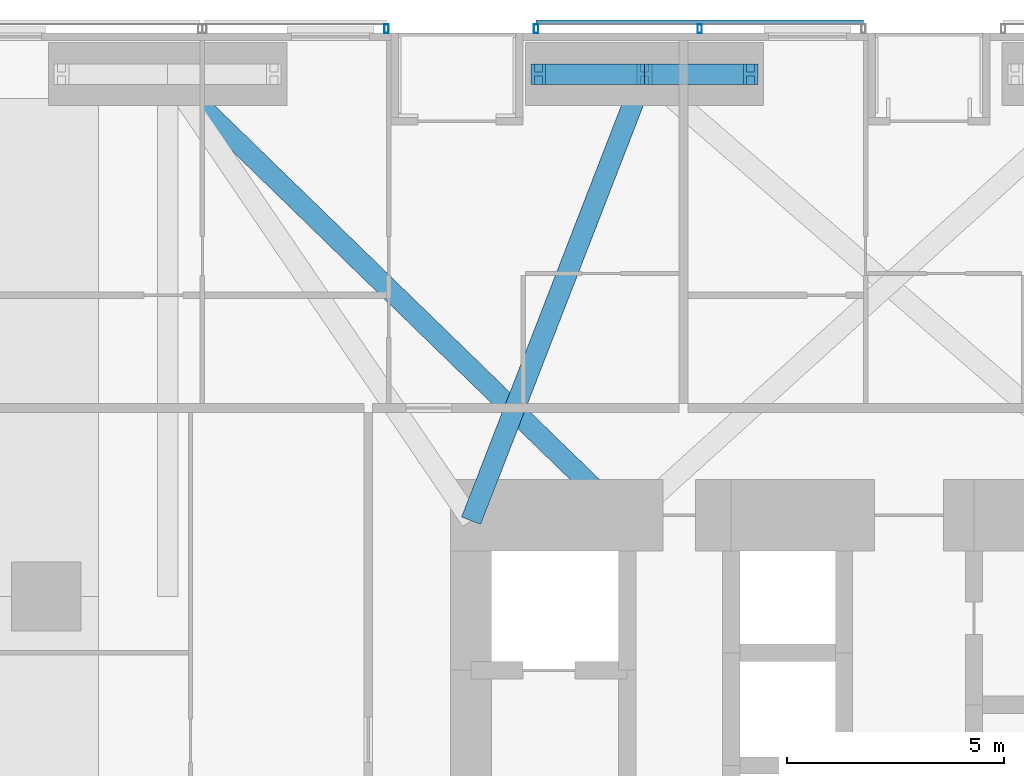
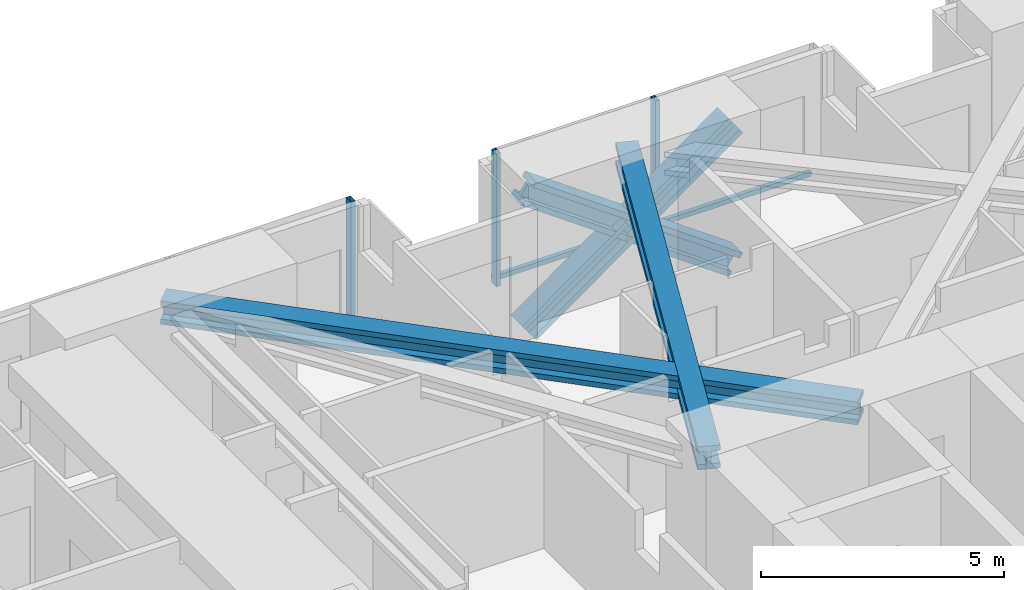
# One storey, part 11 of 22: 10 members, 2 elements without a shape of their own.
"""IFC4 building model written with IfcOpenShell, lengths in metres."""

from ifc_helpers import new_model, si_unit, direction, frame, origin, origin_2d, place, context, subcontext, project, spatial, rectangle, hollow_rectangle, i_section, extrude, material, material_profile, profile_set, type_object, element, aggregate, save


model = new_model("IFC4")

# Units and contexts
model_context = context("Model", 3, precision=1e-05, world=origin(), true_north=direction((0.0, 1.0)))
body_context = subcontext(model_context, "Body", "Model", "MODEL_VIEW")
ifc_project = project(units=[si_unit("LENGTHUNIT", "METRE"), si_unit("AREAUNIT", "SQUARE_METRE"), si_unit("VOLUMEUNIT", "CUBIC_METRE"), si_unit("PLANEANGLEUNIT", "RADIAN"), si_unit("MASSUNIT", "GRAM", prefix="KILO")], contexts=[model_context])

# Site, building, storey
site_placement = place(None, origin())
site = spatial("IfcSite", under=ifc_project, at=site_placement, CompositionType="ELEMENT")
building_placement = place(site_placement, origin())
building = spatial("IfcBuilding", under=site, at=building_placement, Name="Jalousie Tower", CompositionType="ELEMENT")
storey_placement = place(building_placement, frame((0.0, 0.0, 71.25)))
storey = spatial("IfcBuildingStorey", under=building, at=storey_placement, Name="L19", CompositionType="ELEMENT", Elevation=71.25)

# Members
ifc_material_1 = material(Name="Steel ASTM A992 Grade 50", Category="steel")
ifc_material_profile_1 = material_profile(ifc_material_1, i_section(OverallWidth=0.472412109375, OverallDepth=0.5791015625, WebThickness=0.094970703125, FlangeThickness=0.1298828125, at=origin_2d()), Name="W14X808")
ifc_profile_set_1 = profile_set([ifc_material_profile_1], Name="Steel ASTM A992 Grade 50")
member_type_1 = type_object("IfcMemberType", Name="KINK FLOOR TRUSS DIAGONAL W14X808", PredefinedType="BRACE", material=ifc_profile_set_1)
member_1_placement = place(storey_placement, frame((24.0, 37.050048828125, 2.930419921875), z_axis=(-0.362007989467, -0.932174991921, 0.0), x_axis=(0.932174991921, -0.362007989467, 0.0)))
element("IfcMember", 1, at=member_1_placement, inside=storey, type_object=member_type_1, Name="Kink floor truss L20 10 diagonal", PredefinedType="BRACE", context=body_context, shape_type="SweptSolid", body=[
    extrude(i_section(OverallWidth=0.472412109375, OverallDepth=0.5791015625, WebThickness=0.094970703125, FlangeThickness=0.1298828125, at=origin_2d()), origin(), (0.0, 0.0, 1.0), 11.049560546875),
])
member_2_placement = place(storey_placement, frame((13.0, 37.050048828125, 2.930419921875), z_axis=(0.717184316871, -0.696883530896, 0.0), x_axis=(0.696883530896, 0.717184316871, 0.0)))
element("IfcMember", 2, at=member_2_placement, inside=storey, type_object=member_type_1, Name="Kink floor truss L20 11 diagonal", PredefinedType="BRACE", context=body_context, shape_type="SweptSolid", body=[
    extrude(i_section(OverallWidth=0.472412109375, OverallDepth=0.5791015625, WebThickness=0.094970703125, FlangeThickness=0.1298828125, at=origin_2d()), origin(), (0.0, 0.0, 1.0), 14.7802734375),
])
ifc_material_2 = material(Name="Steel ASTM A992 Grade 50", Category="steel")
ifc_material_profile_2 = material_profile(ifc_material_2, i_section(OverallWidth=0.472412109375, OverallDepth=0.5791015625, WebThickness=0.094970703125, FlangeThickness=0.1298828125, at=origin_2d()), Name="W14X808")
ifc_profile_set_2 = profile_set([ifc_material_profile_2], Name="Steel ASTM A992 Grade 50")
member_type_2 = type_object("IfcMemberType", Name="PERIMETER BRACE W14X808", PredefinedType="BRACE", material=ifc_profile_set_2)
for number, where, z_axis, x_axis, name in (
    (3, (21.550048828125, 37.050048828125, -0.60009765625), (0.813727992185, 0.0, 0.581245864273), (0.0, 1.0, 0.0), "Perimeter brace 10 L19 part 1"),
    (4, (24.0, 37.050048828125, 1.14990234375), (0.813727992185, 0.0, 0.581245864273), (0.0, 1.0, 0.0), "Perimeter brace 10 L19 part 2"),
    (5, (26.449951171875, 37.050048828125, -0.60009765625), (-0.813727992185, 0.0, 0.581245864273), (0.0, -1.0, 0.0), "Perimeter brace 10 L19 part 3"),
    (6, (24.0, 37.050048828125, 1.14990234375), (-0.813727992185, 0.0, 0.581245864273), (0.0, -1.0, 0.0), "Perimeter brace 10 L19 part 4"),
):
    element("IfcMember", number, at=place(storey_placement, frame(where, z_axis=z_axis, x_axis=x_axis)), inside=storey, type_object=member_type_2, Name=name, PredefinedType="BRACE", context=body_context, shape_type="SweptSolid", body=[
        extrude(i_section(OverallWidth=0.472412109375, OverallDepth=0.5791015625, WebThickness=0.094970703125, FlangeThickness=0.1298828125, at=origin_2d()), origin(), (0.0, 0.0, 1.0), 3.0107421875),
    ])

# Curtain wall, members
ifc_material_3 = material(Name="Perforated aluminium sheet", Category="aluminium")
curtain_wall_type = type_object("IfcCurtainWallType", Name="SOLAR SCREEN SS-2", PredefinedType="USERDEFINED", material=ifc_material_3)
curtain_wall_1_placement = place(storey_placement, origin())
curtain_wall_1 = element("IfcCurtainWall", 7, at=curtain_wall_1_placement, inside=storey, type_object=curtain_wall_type, Name="Solar screen L19", ObjectType="SOLAR SCREEN SS-2", PredefinedType="USERDEFINED")
ifc_material_4 = material(Name="Steel ASTM A500 Grade C", Category="steel")
ifc_material_profile_3 = material_profile(ifc_material_4, hollow_rectangle(XDim=0.1015625, YDim=0.203125, WallThickness=0.0078125, at=origin_2d()), Name="HSS8X4X5/16")
ifc_profile_set_3 = profile_set([ifc_material_profile_3], Name="Steel ASTM A500 Grade C")
member_type_3 = type_object("IfcMemberType", Name="SOLAR SCREEN SS-2 MULLION", PredefinedType="MULLION", material=ifc_profile_set_3)
member_3_placement = place(storey_placement, frame((25.27490234375, 38.0966796875, -0.1201171875), z_axis=(0.0, 0.0, 1.0), x_axis=(-1.0, 0.0, 0.0)))
member_3 = element("IfcMember", 8, at=member_3_placement, type_object=member_type_3, Name="SS2 post 2", PredefinedType="MULLION", context=body_context, shape_type="SweptSolid", body=[
    extrude(hollow_rectangle(XDim=0.1015625, YDim=0.203125, WallThickness=0.0078125, at=origin_2d()), origin(), (0.0, 0.0, 1.0), 3.340087890625),
])
member_4_placement = place(storey_placement, frame((21.5, 38.0966796875, -0.1201171875), z_axis=(0.0, 0.0, 1.0), x_axis=(-1.0, 0.0, 0.0)))
member_4 = element("IfcMember", 9, at=member_4_placement, type_object=member_type_3, Name="SS2 post 3", PredefinedType="MULLION", context=body_context, shape_type="SweptSolid", body=[
    extrude(hollow_rectangle(XDim=0.1015625, YDim=0.203125, WallThickness=0.0078125, at=origin_2d()), origin(), (0.0, 0.0, 1.0), 3.340087890625),
])

# Curtain wall, member
curtain_wall_2_placement = place(storey_placement, origin())
curtain_wall_2 = element("IfcCurtainWall", 10, at=curtain_wall_2_placement, inside=storey, type_object=curtain_wall_type, Name="Solar screen L19", ObjectType="SOLAR SCREEN SS-2", PredefinedType="USERDEFINED")
member_5_placement = place(storey_placement, frame((18.050048828125, 38.0966796875, -0.1201171875), z_axis=(0.0, 0.0, 1.0), x_axis=(-1.0, 0.0, 0.0)))
member_5 = element("IfcMember", 11, at=member_5_placement, type_object=member_type_3, Name="SS2 post 1", PredefinedType="MULLION", context=body_context, shape_type="SweptSolid", body=[
    extrude(hollow_rectangle(XDim=0.1015625, YDim=0.203125, WallThickness=0.0078125, at=origin_2d()), origin(), (0.0, 0.0, 1.0), 3.340087890625),
])
aggregate(curtain_wall_2, [member_5])

# Member
ifc_material_5 = material(Name="Extruded aluminium screen rail", Category="aluminium")
ifc_material_profile_4 = material_profile(ifc_material_5, rectangle(XDim=0.1015625, YDim=0.1201171875, at=origin_2d()), Name="RAIL 102x120")
ifc_profile_set_4 = profile_set([ifc_material_profile_4], Name="Extruded aluminium screen rail")
member_type_4 = type_object("IfcMemberType", Name="SOLAR SCREEN SS-2 TRANSOM", PredefinedType="USERDEFINED", material=ifc_profile_set_4)
member_6_placement = place(storey_placement, frame((29.050048828125, 38.2490234375, -0.06005859375), z_axis=(-1.0, 0.0, 0.0), x_axis=(0.0, -1.0, 0.0)))
member_6 = element("IfcMember", 12, at=member_6_placement, type_object=member_type_4, Name="SS2 rail", ObjectType="TRANSOM", PredefinedType="USERDEFINED", context=body_context, shape_type="SweptSolid", body=[
    extrude(rectangle(XDim=0.1015625, YDim=0.1201171875, at=origin_2d()), origin(), (0.0, 0.0, 1.0), 7.550048828125),
])

aggregate(curtain_wall_1, [member_3, member_4, member_6])

save(model, "model.ifc")
